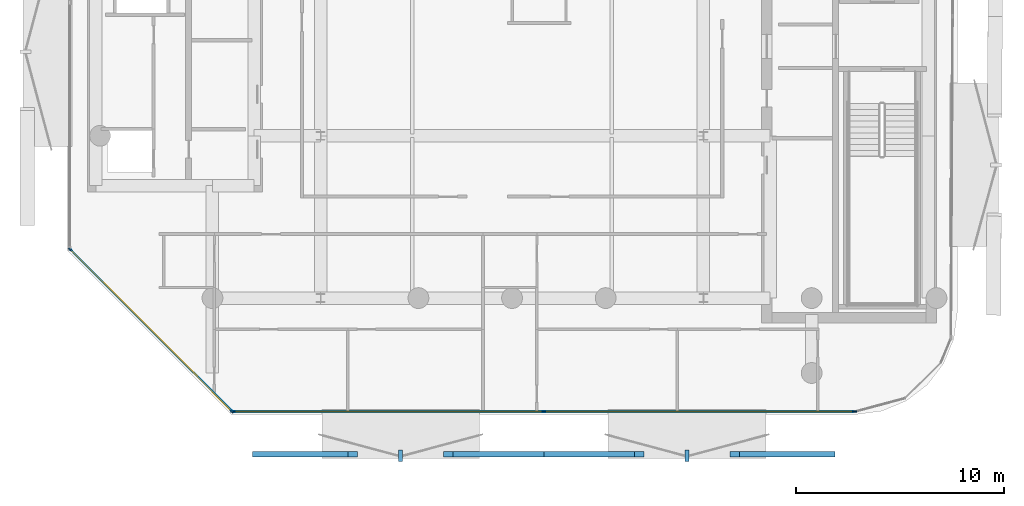
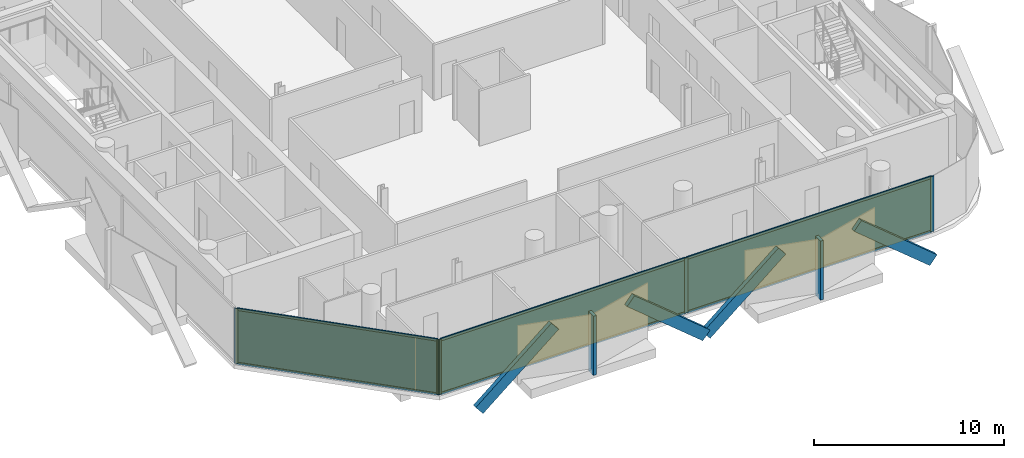
# One storey, part 9 of 16: 17 members, 3 plates, 2 curtain walls.
"""IFC4 building model written with IfcOpenShell, lengths in metres."""

from ifc_helpers import new_model, si_unit, direction, frame, frame_2d, origin, origin_2d, place, context, subcontext, project, spatial, rectangle, extrude, material, layer, layer_set, material_profile, profile_set, type_object, element, aggregate, save


model = new_model("IFC4")

# Units and contexts
model_context = context("Model", 3, precision=1e-05, world=origin(), true_north=direction((0.0, 1.0)))
body_context = subcontext(model_context, "Body", "Model", "MODEL_VIEW")
ifc_project = project(units=[si_unit("LENGTHUNIT", "METRE"), si_unit("AREAUNIT", "SQUARE_METRE"), si_unit("VOLUMEUNIT", "CUBIC_METRE"), si_unit("PLANEANGLEUNIT", "RADIAN"), si_unit("MASSUNIT", "GRAM", prefix="KILO")], contexts=[model_context])

# Member
ifc_material_1 = material(Name="Anodised Bronze Aluminium 6063-T6", Category="aluminium")
ifc_material_profile_1 = material_profile(ifc_material_1, rectangle(XDim=0.260009765625, YDim=0.699951171875, at=origin_2d()))
ifc_profile_set_1 = profile_set([ifc_material_profile_1], Name="Anodised Bronze Aluminium 6063-T6")
member_type_1 = type_object("IfcMemberType", Name="Bronze Diamond Solar-Screen Lattice Rib BDL-700", PredefinedType="MULLION", material=ifc_profile_set_1)
site_placement = place(None, origin())
building_placement = place(site_placement, origin())
storey_placement = place(building_placement, frame((0.0, 0.0, 300.39990234375)))
member_1_placement = place(storey_placement, frame((15.290771484375, -26.10009765625, -0.1298828125), z_axis=(-0.77019926229, 0.0, 0.637803336749), x_axis=(0.0, 1.0, 0.0)))
member_1 = element("IfcMember", 1, at=member_1_placement, type_object=member_type_1, Name="L72 Bronze Diamond Solar Screen Lattice Rib 502A", PredefinedType="MULLION", context=body_context, shape_type="SweptSolid", body=[
    extrude(rectangle(XDim=0.260009765625, YDim=0.699951171875, at=origin_2d()), origin(), (0.0, 0.0, 1.0), 5.9580078125),
])

member_2_placement = place(storey_placement, frame((1.5244140625, -26.10009765625, -0.1298828125), z_axis=(0.77019926229, 0.0, 0.637803336749), x_axis=(0.0, -1.0, 0.0)))
member_2 = element("IfcMember", 2, at=member_2_placement, type_object=member_type_1, Name="L72 Bronze Diamond Solar Screen Lattice Rib 502B", PredefinedType="MULLION", context=body_context, shape_type="SweptSolid", body=[
    extrude(rectangle(XDim=0.260009765625, YDim=0.699951171875, at=origin_2d()), origin(), (0.0, 0.0, 1.0), 5.9580078125),
])

member_3_placement = place(storey_placement, frame((1.5244140625, -26.10009765625, -0.1298828125), z_axis=(-0.77019926229, 0.0, 0.637803336749), x_axis=(0.0, 1.0, 0.0)))
member_3 = element("IfcMember", 3, at=member_3_placement, type_object=member_type_1, Name="L72 Bronze Diamond Solar Screen Lattice Rib 503A", PredefinedType="MULLION", context=body_context, shape_type="SweptSolid", body=[
    extrude(rectangle(XDim=0.260009765625, YDim=0.699951171875, at=origin_2d()), origin(), (0.0, 0.0, 1.0), 5.9580078125),
])

member_4_placement = place(storey_placement, frame((-12.241943359375, -26.10009765625, -0.1298828125), z_axis=(0.770182592436, 0.0, 0.637823466415), x_axis=(0.0, -1.0, 0.0)))
member_4 = element("IfcMember", 4, at=member_4_placement, type_object=member_type_1, Name="L72 Bronze Diamond Solar Screen Lattice Rib 503B", PredefinedType="MULLION", context=body_context, shape_type="SweptSolid", body=[
    extrude(rectangle(XDim=0.260009765625, YDim=0.699951171875, at=origin_2d()), origin(), (0.0, 0.0, 1.0), 5.957763671875),
])

ifc_material_2 = material(Name="Anodised Bronze Aluminium 6063-T6", Category="aluminium")
ifc_material_profile_2 = material_profile(ifc_material_2, rectangle(XDim=0.179931640625, YDim=0.5400390625, at=origin_2d()))
ifc_profile_set_2 = profile_set([ifc_material_profile_2], Name="Anodised Bronze Aluminium 6063-T6")
member_type_2 = type_object("IfcMemberType", Name="Bronze Solar-Screen Vertical Fold Fin BSF-540", PredefinedType="MULLION", material=ifc_profile_set_2)
member_5_placement = place(storey_placement, frame((8.40771484375, -26.179931640625, -0.1298828125), z_axis=(0.0, 0.0, 1.0), x_axis=(-1.0, 0.0, 0.0)))
member_5 = element("IfcMember", 5, at=member_5_placement, type_object=member_type_2, Name="L72 Bronze Solar Screen Vertical Fin 502", PredefinedType="MULLION", context=body_context, shape_type="SweptSolid", body=[
    extrude(rectangle(XDim=0.179931640625, YDim=0.5400390625, at=origin_2d()), origin(), (0.0, 0.0, 1.0), 3.800048828125),
])

member_6_placement = place(storey_placement, frame((-5.35888671875, -26.179931640625, -0.1298828125), z_axis=(0.0, 0.0, 1.0), x_axis=(-1.0, 0.0, 0.0)))
member_6 = element("IfcMember", 6, at=member_6_placement, type_object=member_type_2, Name="L72 Bronze Solar Screen Vertical Fin 503", PredefinedType="MULLION", context=body_context, shape_type="SweptSolid", body=[
    extrude(rectangle(XDim=0.179931640625, YDim=0.5400390625, at=origin_2d()), origin(), (0.0, 0.0, 1.0), 3.800048828125),
])

ifc_material_3 = material(Name="Anodised Bronze Aluminium 6063-T6", Category="aluminium")
ifc_material_profile_3 = material_profile(ifc_material_3, rectangle(XDim=0.074951171875, YDim=0.2099609375, at=origin_2d()))
ifc_profile_set_3 = profile_set([ifc_material_profile_3], Name="Anodised Bronze Aluminium 6063-T6")
member_type_3 = type_object("IfcMemberType", Name="CW-CRN Mullion 75x210", PredefinedType="MULLION", material=ifc_profile_set_3)
member_7_placement = place(storey_placement, frame((16.453369140625, -24.06005859375, 0.0), z_axis=(0.0, 0.0, 1.0), x_axis=(0.0, -1.0, 0.0)))
member_7 = element("IfcMember", 7, at=member_7_placement, type_object=member_type_3, Name="CW-CRN mullion 1", PredefinedType="MULLION", context=body_context, shape_type="SweptSolid", body=[
    extrude(rectangle(XDim=0.074951171875, YDim=0.2099609375, at=origin_2d()), origin(), (0.0, 0.0, 1.0), 3.5400390625),
])

member_8_placement = place(storey_placement, frame((1.5244140625, -24.06005859375, 0.0), z_axis=(0.0, 0.0, 1.0), x_axis=(0.0, -1.0, 0.0)))
member_8 = element("IfcMember", 8, at=member_8_placement, type_object=member_type_3, Name="CW-CRN mullion 2", PredefinedType="MULLION", context=body_context, shape_type="SweptSolid", body=[
    extrude(rectangle(XDim=0.074951171875, YDim=0.2099609375, at=origin_2d()), origin(), (0.0, 0.0, 1.0), 3.5400390625),
])

member_9_placement = place(storey_placement, frame((-13.404541015625, -24.06005859375, 0.0), z_axis=(0.0, 0.0, 1.0), x_axis=(0.0, -1.0, 0.0)))
member_9 = element("IfcMember", 9, at=member_9_placement, type_object=member_type_3, Name="CW-CRN mullion 3", PredefinedType="MULLION", context=body_context, shape_type="SweptSolid", body=[
    extrude(rectangle(XDim=0.074951171875, YDim=0.2099609375, at=origin_2d()), origin(), (0.0, 0.0, 1.0), 3.5400390625),
])

ifc_material_4 = material(Name="Anodised Bronze Aluminium 6063-T6", Category="aluminium")
ifc_material_profile_4 = material_profile(ifc_material_4, rectangle(XDim=0.074951171875, YDim=0.1650390625, at=origin_2d()))
ifc_profile_set_4 = profile_set([ifc_material_profile_4], Name="Anodised Bronze Aluminium 6063-T6")
member_type_4 = type_object("IfcMemberType", Name="CW-CRN Transom 75x165", PredefinedType="USERDEFINED", material=ifc_profile_set_4)
member_10_placement = place(storey_placement, frame((16.415771484375, -24.06005859375, 0.03759765625), z_axis=(-1.0, 0.0, 0.0), x_axis=(0.0, -1.0, 0.0)))
member_10 = element("IfcMember", 10, at=member_10_placement, type_object=member_type_4, Name="CW-CRN transom 1.1", ObjectType="TRANSOM", PredefinedType="USERDEFINED", context=body_context, shape_type="SweptSolid", body=[
    extrude(rectangle(XDim=0.074951171875, YDim=0.1650390625, at=origin_2d()), origin(), (0.0, 0.0, 1.0), 14.853759765625),
])

member_11_placement = place(storey_placement, frame((16.415771484375, -24.06005859375, 3.502685546875), z_axis=(-1.0, 0.0, 0.0), x_axis=(0.0, -1.0, 0.0)))
member_11 = element("IfcMember", 11, at=member_11_placement, type_object=member_type_4, Name="CW-CRN transom 1.2", ObjectType="TRANSOM", PredefinedType="USERDEFINED", context=body_context, shape_type="SweptSolid", body=[
    extrude(rectangle(XDim=0.074951171875, YDim=0.1650390625, at=origin_2d()), origin(), (0.0, 0.0, 1.0), 14.853759765625),
])

member_12_placement = place(storey_placement, frame((1.48681640625, -24.06005859375, 0.03759765625), z_axis=(-1.0, 0.0, 0.0), x_axis=(0.0, -1.0, 0.0)))
member_12 = element("IfcMember", 12, at=member_12_placement, type_object=member_type_4, Name="CW-CRN transom 2.1", ObjectType="TRANSOM", PredefinedType="USERDEFINED", context=body_context, shape_type="SweptSolid", body=[
    extrude(rectangle(XDim=0.074951171875, YDim=0.1650390625, at=origin_2d()), origin(), (0.0, 0.0, 1.0), 14.853759765625),
])

member_13_placement = place(storey_placement, frame((1.48681640625, -24.06005859375, 3.502685546875), z_axis=(-1.0, 0.0, 0.0), x_axis=(0.0, -1.0, 0.0)))
member_13 = element("IfcMember", 13, at=member_13_placement, type_object=member_type_4, Name="CW-CRN transom 2.2", ObjectType="TRANSOM", PredefinedType="USERDEFINED", context=body_context, shape_type="SweptSolid", body=[
    extrude(rectangle(XDim=0.074951171875, YDim=0.1650390625, at=origin_2d()), origin(), (0.0, 0.0, 1.0), 14.853759765625),
])

ifc_material_5 = material(Name="Anodised Bronze Aluminium 6063-T6", Category="aluminium")
ifc_material_profile_5 = material_profile(ifc_material_5, rectangle(XDim=0.070068359375, YDim=0.18994140625, at=origin_2d()))
ifc_profile_set_5 = profile_set([ifc_material_profile_5], Name="Anodised Bronze Aluminium 6063-T6")
member_type_5 = type_object("IfcMemberType", Name="CW-SLC Mullion 70x190", PredefinedType="MULLION", material=ifc_profile_set_5)
member_14_placement = place(storey_placement, frame((-13.466796875, -24.03515625, 0.0), z_axis=(0.0, 0.0, 1.0), x_axis=(-0.707106781187, -0.707106781187, 0.0)))
member_14 = element("IfcMember", 14, at=member_14_placement, type_object=member_type_5, Name="CW-SLC mullion 1", PredefinedType="MULLION", context=body_context, shape_type="SweptSolid", body=[
    extrude(rectangle(XDim=0.070068359375, YDim=0.18994140625, at=origin_2d()), origin(), (0.0, 0.0, 1.0), 3.5400390625),
])

member_15_placement = place(storey_placement, frame((-21.2353515625, -16.266845703125, 0.0), z_axis=(0.0, 0.0, 1.0), x_axis=(-0.707106781187, -0.707106781187, 0.0)))
member_15 = element("IfcMember", 15, at=member_15_placement, type_object=member_type_5, Name="CW-SLC mullion 2", PredefinedType="MULLION", context=body_context, shape_type="SweptSolid", body=[
    extrude(rectangle(XDim=0.070068359375, YDim=0.18994140625, at=origin_2d()), origin(), (0.0, 0.0, 1.0), 3.5400390625),
])

ifc_material_6 = material(Name="Anodised Bronze Aluminium 6063-T6", Category="aluminium")
ifc_material_profile_6 = material_profile(ifc_material_6, rectangle(XDim=0.070068359375, YDim=0.14990234375, at=origin_2d()))
ifc_profile_set_6 = profile_set([ifc_material_profile_6], Name="Anodised Bronze Aluminium 6063-T6")
member_type_6 = type_object("IfcMemberType", Name="CW-SLC Transom 70x150", PredefinedType="USERDEFINED", material=ifc_profile_set_6)
member_16_placement = place(storey_placement, frame((-13.491455078125, -24.010498046875, 0.03515625), z_axis=(-0.707106781187, 0.707106781187, 0.0), x_axis=(-0.707106781187, -0.707106781187, 0.0)))
member_16 = element("IfcMember", 16, at=member_16_placement, type_object=member_type_6, Name="CW-SLC transom 1.1", ObjectType="TRANSOM", PredefinedType="USERDEFINED", context=body_context, shape_type="SweptSolid", body=[
    extrude(rectangle(XDim=0.070068359375, YDim=0.14990234375, at=origin_2d()), origin(), (0.0, 0.0, 1.0), 10.916259765625),
])

member_17_placement = place(storey_placement, frame((-13.491455078125, -24.010498046875, 3.505126953125), z_axis=(-0.707106781187, 0.707106781187, 0.0), x_axis=(-0.707106781187, -0.707106781187, 0.0)))
member_17 = element("IfcMember", 17, at=member_17_placement, type_object=member_type_6, Name="CW-SLC transom 1.2", ObjectType="TRANSOM", PredefinedType="USERDEFINED", context=body_context, shape_type="SweptSolid", body=[
    extrude(rectangle(XDim=0.070068359375, YDim=0.14990234375, at=origin_2d()), origin(), (0.0, 0.0, 1.0), 10.916259765625),
])

# Plate
ifc_material_7 = material(Name="Low-E Solar Control Laminated Glass", Category="glass")
ifc_layer_1 = layer(ifc_material_7, 0.035888671875, Name="Low-E Solar Control Laminated Glass")
ifc_layer_set_1 = layer_set([ifc_layer_1], Name="Low-E Solar Control Laminated Glass")
plate_type_1 = type_object("IfcPlateType", Name="CW-CRN Low-E Double Glazed Panel 36mm", PredefinedType="CURTAIN_PANEL", material=ifc_layer_set_1)
plate_1_placement = place(storey_placement, frame((8.98876953125, -24.06005859375, 0.0751953125), z_axis=(0.0, 0.0, 1.0), x_axis=(-1.0, 0.0, 0.0)))
plate_1 = element("IfcPlate", 18, at=plate_1_placement, type_object=plate_type_1, Name="CW-CRN panel 1.1", PredefinedType="CURTAIN_PANEL", context=body_context, shape_type="SweptSolid", body=[
    extrude(rectangle(XDim=14.85400390625, YDim=0.035888671875, at=origin_2d()), origin(), (0.0, 0.0, 1.0), 3.389892578125),
])

plate_2_placement = place(storey_placement, frame((-5.93994140625, -24.06005859375, 0.0751953125), z_axis=(0.0, 0.0, 1.0), x_axis=(-1.0, 0.0, 0.0)))
plate_2 = element("IfcPlate", 19, at=plate_2_placement, type_object=plate_type_1, Name="CW-CRN panel 2.1", PredefinedType="CURTAIN_PANEL", context=body_context, shape_type="SweptSolid", body=[
    extrude(rectangle(XDim=14.85400390625, YDim=0.035888671875, at=origin_2d()), origin(), (0.0, 0.0, 1.0), 3.389892578125),
])

ifc_material_8 = material(Name="Low-E Solar Control Laminated Glass", Category="glass")
ifc_layer_2 = layer(ifc_material_8, 0.033935546875, Name="Low-E Solar Control Laminated Glass")
ifc_layer_set_2 = layer_set([ifc_layer_2], Name="Low-E Solar Control Laminated Glass")
plate_type_2 = type_object("IfcPlateType", Name="CW-SLC Low-E Double Glazed Panel 34mm", PredefinedType="CURTAIN_PANEL", material=ifc_layer_set_2)
plate_3_placement = place(storey_placement, frame((-17.35107421875, -20.15087890625, 0.070068359375), z_axis=(0.0, 0.0, 1.0), x_axis=(-0.707106781187, 0.707106781187, 0.0)))
plate_3 = element("IfcPlate", 20, at=plate_3_placement, type_object=plate_type_2, Name="CW-SLC panel 1.1", PredefinedType="CURTAIN_PANEL", context=body_context, shape_type="SweptSolid", body=[
    extrude(rectangle(XDim=10.916259765625, YDim=0.033935546875, at=origin_2d()), origin(), (0.0, 0.0, 1.0), 3.39990234375),
])

# Site, building, storey
site = spatial("IfcSite", under=ifc_project, at=site_placement, CompositionType="ELEMENT")
building = spatial("IfcBuilding", under=site, at=building_placement, Name="Khairoan Windgate Tower", CompositionType="ELEMENT")
storey = spatial("IfcBuildingStorey", under=building, at=storey_placement, Name="L72", CompositionType="ELEMENT", Elevation=300.39990234375)

# Curtain wall
ifc_material_9 = material(Name="Anodised Bronze Aluminium 6063-T6", Category="aluminium")
ifc_layer_3 = layer(ifc_material_9, 0.2099609375, Name="Anodised Bronze Aluminium 6063-T6")
ifc_layer_set_3 = layer_set([ifc_layer_3], Name="Anodised Bronze Aluminium 6063-T6")
curtain_wall_type_1 = type_object("IfcCurtainWallType", Name="Crown Observation and Vitrine Curtain Wall CW-CRN", PredefinedType="NOTDEFINED", material=ifc_layer_set_3)
curtain_wall_1_placement = place(storey_placement, frame((16.49072265625, -24.06005859375, 0.0), z_axis=(0.0, 0.0, 1.0), x_axis=(-1.0, 0.0, 0.0)))
curtain_wall_1 = element("IfcCurtainWall", 21, at=curtain_wall_1_placement, inside=storey, type_object=curtain_wall_type_1, Name="L72 Unitised Curtain Wall 1", PredefinedType="NOTDEFINED", context=body_context, shape_type="SweptSolid", body=[
    extrude(rectangle(XDim=29.9326171875, YDim=0.010009765625, at=frame_2d((14.96630859375, 0.0))), origin(), (0.0, 0.0, 1.0), 3.5400390625),
])

aggregate(curtain_wall_1, [member_7, member_8, member_9, member_10, member_11, plate_1, member_12, member_13, plate_2, member_1, member_2, member_5, member_3, member_4, member_6])

ifc_material_10 = material(Name="Anodised Bronze Aluminium 6063-T6", Category="aluminium")
ifc_layer_4 = layer(ifc_material_10, 0.18994140625, Name="Anodised Bronze Aluminium 6063-T6")
ifc_layer_set_4 = layer_set([ifc_layer_4], Name="Anodised Bronze Aluminium 6063-T6")
curtain_wall_type_2 = type_object("IfcCurtainWallType", Name="Diagonal Corner-Slice Facet Curtain Wall CW-SLC", PredefinedType="NOTDEFINED", material=ifc_layer_set_4)
curtain_wall_2_placement = place(storey_placement, frame((-13.44189453125, -24.06005859375, 0.0), z_axis=(0.0, 0.0, 1.0), x_axis=(-0.707106781187, 0.707106781187, 0.0)))
curtain_wall_2 = element("IfcCurtainWall", 22, at=curtain_wall_2_placement, inside=storey, type_object=curtain_wall_type_2, Name="L72 Crystal Slice Curtain Wall 2", PredefinedType="NOTDEFINED", context=body_context, shape_type="SweptSolid", body=[
    extrude(rectangle(XDim=11.056396484375, YDim=0.010009765625, at=frame_2d((5.5283203125, 0.0))), origin(), (0.0, 0.0, 1.0), 3.5400390625),
])

aggregate(curtain_wall_2, [member_14, member_15, member_16, member_17, plate_3])

save(model, "model.ifc")
